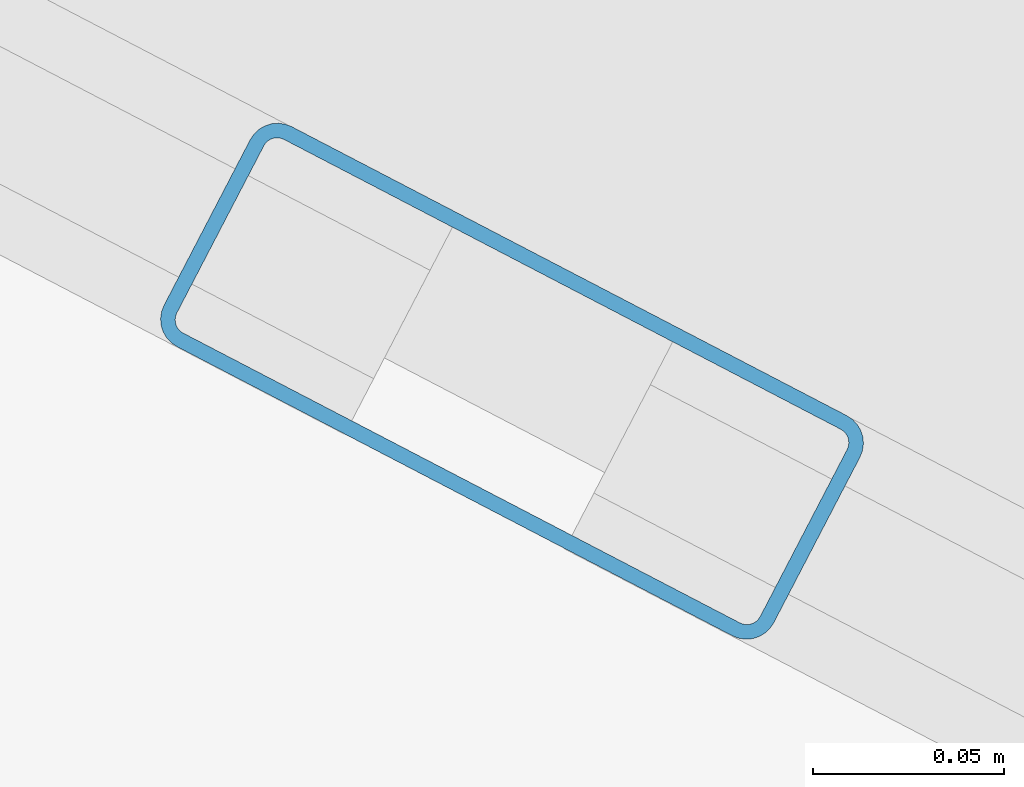
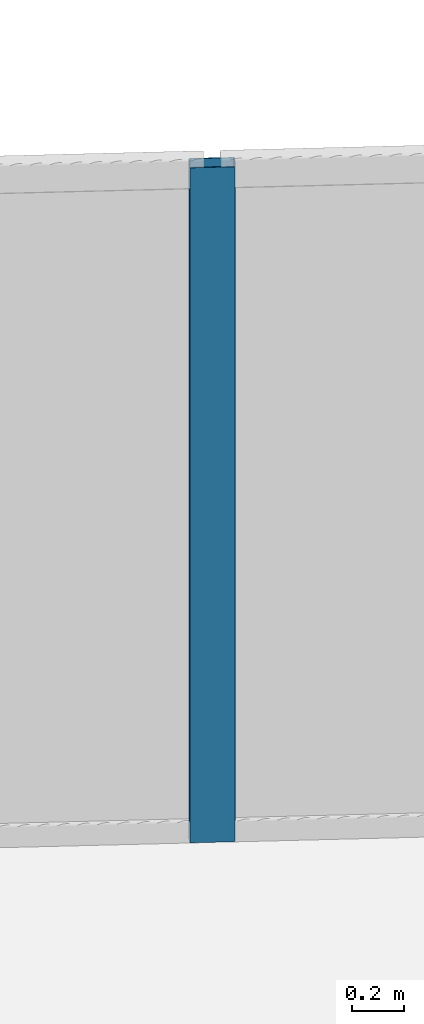
# One storey, part 15 of 22: 1 member, 1 element without a shape of its own.
"""IFC4 building model written with IfcOpenShell, lengths in metres."""

from ifc_helpers import new_model, si_unit, direction, frame, origin, origin_2d, place, context, subcontext, project, spatial, hollow_rectangle, extrude, source, transform, mapped, material, material_profile, profile_set, type_object, element, aggregate, save


model = new_model("IFC4")

# Units and contexts
model_context = context("Model", 3, precision=1e-05, world=origin(), true_north=direction((0.0, 1.0)))
body_context = subcontext(model_context, "Body", "Model", "MODEL_VIEW")
ifc_project = project(units=[si_unit("LENGTHUNIT", "METRE"), si_unit("AREAUNIT", "SQUARE_METRE"), si_unit("VOLUMEUNIT", "CUBIC_METRE"), si_unit("PLANEANGLEUNIT", "RADIAN"), si_unit("MASSUNIT", "GRAM", prefix="KILO")], contexts=[model_context])

# Site, building, storey
site_placement = place(None, origin())
site = spatial("IfcSite", under=ifc_project, at=site_placement, CompositionType="ELEMENT")
building_placement = place(site_placement, origin())
building = spatial("IfcBuilding", under=site, at=building_placement, Name="Torre Montelarca", CompositionType="ELEMENT")
storey_placement = place(building_placement, frame((0.0, 0.0, 175.0)))
storey = spatial("IfcBuildingStorey", under=building, at=storey_placement, Name="L39", CompositionType="ELEMENT", Elevation=175.0)

# Curtain wall, member
ifc_material_1 = material(Name="Insulated low-E laminated glass", Category="glass")
curtain_wall_type = type_object("IfcCurtainWallType", Name="CW-SYS-Z2", PredefinedType="USERDEFINED", material=ifc_material_1)
curtain_wall_placement = place(storey_placement, origin())
curtain_wall = element("IfcCurtainWall", 1, at=curtain_wall_placement, inside=storey, type_object=curtain_wall_type, Name="L39 Curtain Wall Run CW-T3-L39-E08-B1", ObjectType="UNITISED GLAZING", PredefinedType="USERDEFINED")
ifc_material_2 = material(Name="Anodised aluminium AA 6063-T6", Category="aluminium")
ifc_material_profile = material_profile(ifc_material_2, hollow_rectangle(XDim=0.06494140625, YDim=0.179931640625, WallThickness=0.00390625, InnerFilletRadius=0.00390625, OuterFilletRadius=0.008056640625, at=origin_2d()), Name="ALU65X180X4", Category="aluminium")
ifc_profile_set = profile_set([ifc_material_profile], Name="Anodised aluminium AA 6063-T6")
member_type = type_object("IfcMemberType", Name="CWM-ALU180", PredefinedType="MULLION", material=ifc_profile_set)
shared_shape = source(origin(), body_context, "Body", "SweptSolid", [
    extrude(hollow_rectangle(XDim=0.06494140625, YDim=0.179931640625, WallThickness=0.00390625, InnerFilletRadius=0.00390625, OuterFilletRadius=0.008056640625, at=origin_2d()), origin(), (0.0, 0.0, 1.0), 3.175048828125),
])
member_placement = place(storey_placement, frame((39.510498046875, 40.741455078125, 0.0), z_axis=(0.0, 0.0, 1.0), x_axis=(-0.461747780498, -0.887011266673, 0.0)))
member = element("IfcMember", 2, at=member_placement, type_object=member_type, Name="CW mullion 2", PredefinedType="MULLION", context=body_context, shape_type="MappedRepresentation", body=[
    mapped(shared_shape, transform((0.0, 0.0, 0.0), scale=1.0)),
])
aggregate(curtain_wall, [member])

save(model, "model.ifc")
